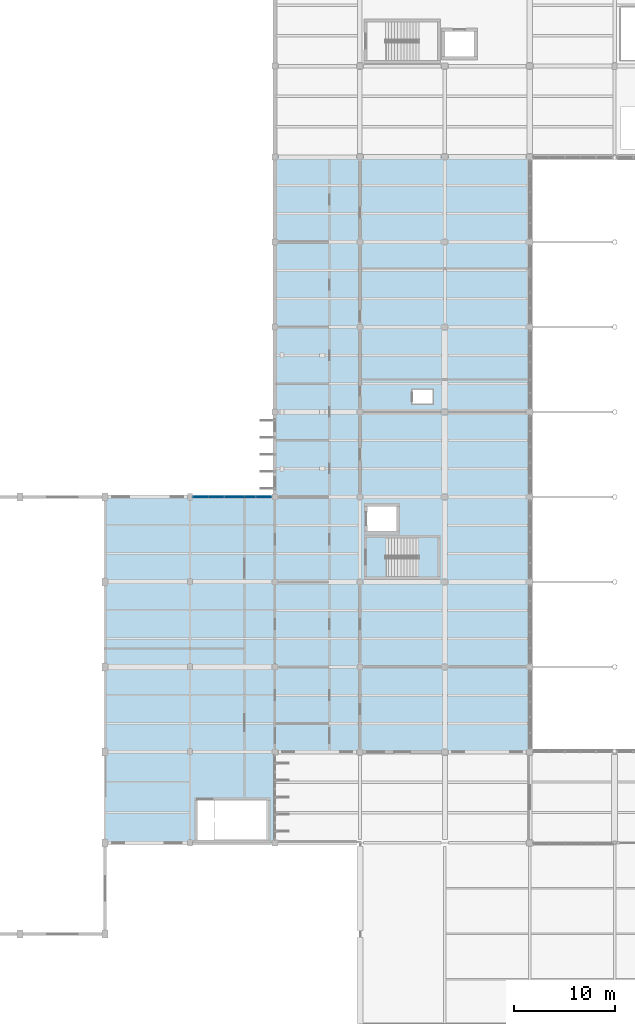
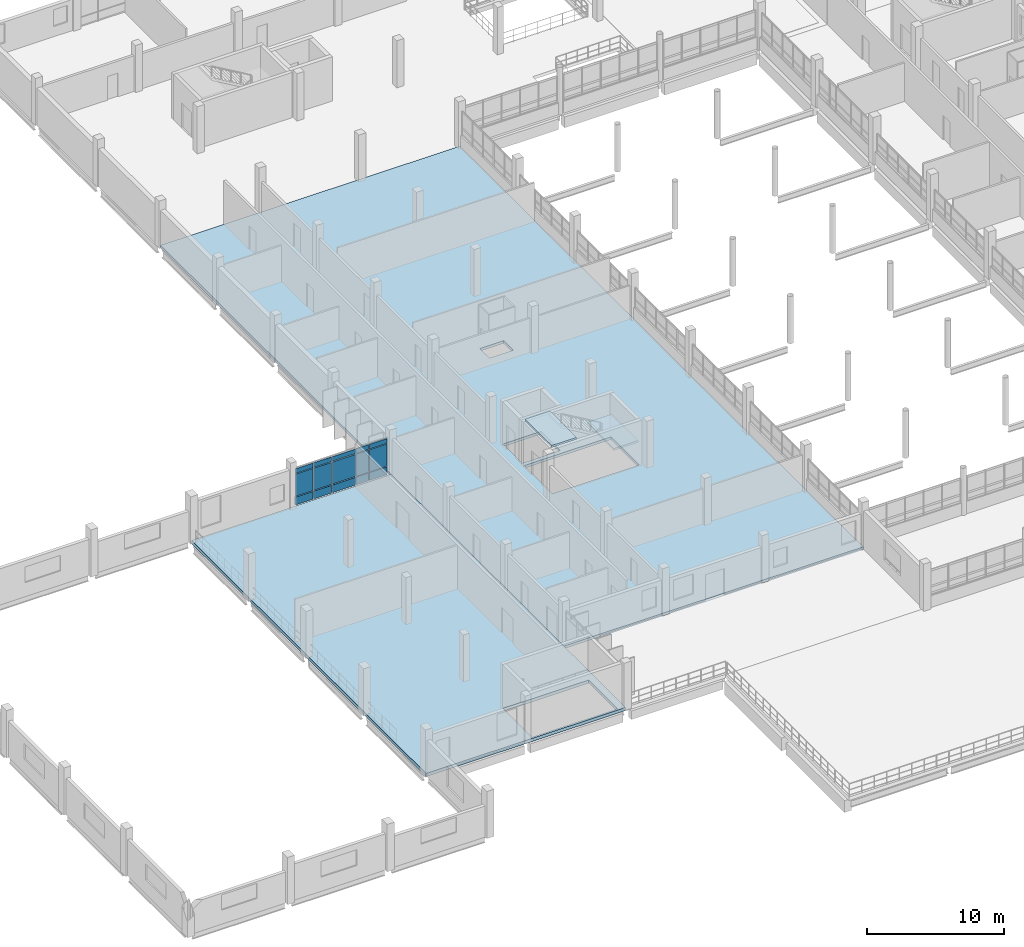
# One storey, part 72 of 101: 15 plates, 4 slabs, 4 openings, 2 elements without a shape of their own.
"""IFC4 building model written with IfcOpenShell, lengths in metres."""

from ifc_helpers import new_model, si_unit, direction, frame, origin, origin_2d, place, context, subcontext, project, spatial, polyline, rectangle, outline, extrude, material, layer, layer_set, type_object, element, aggregate, save


model = new_model("IFC4")

# Units and contexts
model_context = context("Model", 3, precision=1e-05, world=origin(), true_north=direction((0.0, 1.0)))
body_context = subcontext(model_context, "Body", "Model", "MODEL_VIEW")
ifc_project = project(units=[si_unit("LENGTHUNIT", "METRE"), si_unit("AREAUNIT", "SQUARE_METRE"), si_unit("VOLUMEUNIT", "CUBIC_METRE"), si_unit("PLANEANGLEUNIT", "RADIAN"), si_unit("MASSUNIT", "GRAM", prefix="KILO")], contexts=[model_context])

# Site, building, storey
site_placement = place(None, origin())
site = spatial("IfcSite", under=ifc_project, at=site_placement, CompositionType="ELEMENT")
building_placement = place(site_placement, origin())
building = spatial("IfcBuilding", under=site, at=building_placement, Name="Vireocrest Preparatory School", CompositionType="ELEMENT")
storey_placement = place(building_placement, frame((0.0, 0.0, 4.800048828125)))
storey = spatial("IfcBuildingStorey", under=building, at=storey_placement, Name="L01", CompositionType="ELEMENT", Elevation=4.800048828125)

# Curtain wall, plates
ifc_material_1 = material(Name="Thermally broken aluminium EN AW-6063-T6", Category="aluminium")
ifc_layer_1 = layer(ifc_material_1, 0.179931640625)
ifc_layer_set_1 = layer_set([ifc_layer_1], Name="Thermally broken aluminium EN AW-6063-T6")
curtain_wall_type = type_object("IfcCurtainWallType", Name="Library Reading Bay Glazing 7600x4200", PredefinedType="USERDEFINED", material=ifc_layer_set_1)
curtain_wall_placement = place(storey_placement, origin())
curtain_wall = element("IfcCurtainWall", 1, at=curtain_wall_placement, inside=storey, type_object=curtain_wall_type, Name="Curtain Wall CW16 CW_L01_CW16_0338_0522_048", ObjectType="CURTAIN WALL", PredefinedType="USERDEFINED")
ifc_material_2 = material(Name="Insulated triple low-e tempered safety glass", Category="glass")
ifc_layer_2 = layer(ifc_material_2, 0.074951171875)
ifc_layer_set_2 = layer_set([ifc_layer_2], Name="Insulated triple low-e tempered safety glass")
plate_type_1 = type_object("IfcPlateType", Name="Acoustic Triple-Glazed Lab Curtain Panel 75", PredefinedType="CURTAIN_PANEL", material=ifc_layer_set_2)
plate_1_placement = place(storey_placement, frame((34.6630859375, 52.199951171875, 0.88232421875), z_axis=(0.0, 0.0, 1.0), x_axis=(1.0, 0.0, 0.0)))
plate_1 = element("IfcPlate", 2, at=plate_1_placement, type_object=plate_type_1, Name="CW Panel GL2 CW_L01_CW16_0338_0522_048-1-2", PredefinedType="CURTAIN_PANEL", context=body_context, shape_type="SweptSolid", body=[
    extrude(rectangle(XDim=1.490966796875, YDim=0.074951171875, at=origin_2d()), origin(), (0.0, 0.0, 1.0), 1.965087890625),
])
plate_2_placement = place(storey_placement, frame((34.6630859375, 52.199951171875, 2.91259765625), z_axis=(0.0, 0.0, 1.0), x_axis=(1.0, 0.0, 0.0)))
plate_2 = element("IfcPlate", 3, at=plate_2_placement, type_object=plate_type_1, Name="CW Panel GL2 CW_L01_CW16_0338_0522_048-1-3", PredefinedType="CURTAIN_PANEL", context=body_context, shape_type="SweptSolid", body=[
    extrude(rectangle(XDim=1.490966796875, YDim=0.074951171875, at=origin_2d()), origin(), (0.0, 0.0, 1.0), 0.409912109375),
])
plate_3_placement = place(storey_placement, frame((36.218994140625, 52.199951171875, 0.88232421875), z_axis=(0.0, 0.0, 1.0), x_axis=(1.0, 0.0, 0.0)))
plate_3 = element("IfcPlate", 4, at=plate_3_placement, type_object=plate_type_1, Name="CW Panel GL2 CW_L01_CW16_0338_0522_048-2-2", PredefinedType="CURTAIN_PANEL", context=body_context, shape_type="SweptSolid", body=[
    extrude(rectangle(XDim=1.490966796875, YDim=0.074951171875, at=origin_2d()), origin(), (0.0, 0.0, 1.0), 1.965087890625),
])
plate_4_placement = place(storey_placement, frame((36.218994140625, 52.199951171875, 2.91259765625), z_axis=(0.0, 0.0, 1.0), x_axis=(1.0, 0.0, 0.0)))
plate_4 = element("IfcPlate", 5, at=plate_4_placement, type_object=plate_type_1, Name="CW Panel GL2 CW_L01_CW16_0338_0522_048-2-3", PredefinedType="CURTAIN_PANEL", context=body_context, shape_type="SweptSolid", body=[
    extrude(rectangle(XDim=1.490966796875, YDim=0.074951171875, at=origin_2d()), origin(), (0.0, 0.0, 1.0), 0.409912109375),
])
plate_5_placement = place(storey_placement, frame((37.99853515625, 52.199951171875, 0.88232421875), z_axis=(0.0, 0.0, 1.0), x_axis=(1.0, 0.0, 0.0)))
plate_5 = element("IfcPlate", 6, at=plate_5_placement, type_object=plate_type_1, Name="CW Panel GL2 CW_L01_CW16_0338_0522_048-3-2", PredefinedType="CURTAIN_PANEL", context=body_context, shape_type="SweptSolid", body=[
    extrude(rectangle(XDim=1.93798828125, YDim=0.074951171875, at=origin_2d()), origin(), (0.0, 0.0, 1.0), 1.965087890625),
])
plate_6_placement = place(storey_placement, frame((37.99853515625, 52.199951171875, 2.91259765625), z_axis=(0.0, 0.0, 1.0), x_axis=(1.0, 0.0, 0.0)))
plate_6 = element("IfcPlate", 7, at=plate_6_placement, type_object=plate_type_1, Name="CW Panel GL2 CW_L01_CW16_0338_0522_048-3-3", PredefinedType="CURTAIN_PANEL", context=body_context, shape_type="SweptSolid", body=[
    extrude(rectangle(XDim=1.93798828125, YDim=0.074951171875, at=origin_2d()), origin(), (0.0, 0.0, 1.0), 0.409912109375),
])
plate_7_placement = place(storey_placement, frame((39.554443359375, 52.199951171875, 0.88232421875), z_axis=(0.0, 0.0, 1.0), x_axis=(1.0, 0.0, 0.0)))
plate_7 = element("IfcPlate", 8, at=plate_7_placement, type_object=plate_type_1, Name="CW Panel GL2 CW_L01_CW16_0338_0522_048-4-2", PredefinedType="CURTAIN_PANEL", context=body_context, shape_type="SweptSolid", body=[
    extrude(rectangle(XDim=1.0439453125, YDim=0.074951171875, at=origin_2d()), origin(), (0.0, 0.0, 1.0), 1.965087890625),
])
plate_8_placement = place(storey_placement, frame((39.554443359375, 52.199951171875, 2.91259765625), z_axis=(0.0, 0.0, 1.0), x_axis=(1.0, 0.0, 0.0)))
plate_8 = element("IfcPlate", 9, at=plate_8_placement, type_object=plate_type_1, Name="CW Panel GL2 CW_L01_CW16_0338_0522_048-4-3", PredefinedType="CURTAIN_PANEL", context=body_context, shape_type="SweptSolid", body=[
    extrude(rectangle(XDim=1.0439453125, YDim=0.074951171875, at=origin_2d()), origin(), (0.0, 0.0, 1.0), 0.409912109375),
])
plate_9_placement = place(storey_placement, frame((40.886962890625, 52.199951171875, 0.88232421875), z_axis=(0.0, 0.0, 1.0), x_axis=(1.0, 0.0, 0.0)))
plate_9 = element("IfcPlate", 10, at=plate_9_placement, type_object=plate_type_1, Name="CW Panel GL2 CW_L01_CW16_0338_0522_048-5-2", PredefinedType="CURTAIN_PANEL", context=body_context, shape_type="SweptSolid", body=[
    extrude(rectangle(XDim=1.490966796875, YDim=0.074951171875, at=origin_2d()), origin(), (0.0, 0.0, 1.0), 1.965087890625),
])
plate_10_placement = place(storey_placement, frame((40.886962890625, 52.199951171875, 2.91259765625), z_axis=(0.0, 0.0, 1.0), x_axis=(1.0, 0.0, 0.0)))
plate_10 = element("IfcPlate", 11, at=plate_10_placement, type_object=plate_type_1, Name="CW Panel GL2 CW_L01_CW16_0338_0522_048-5-3", PredefinedType="CURTAIN_PANEL", context=body_context, shape_type="SweptSolid", body=[
    extrude(rectangle(XDim=1.490966796875, YDim=0.074951171875, at=origin_2d()), origin(), (0.0, 0.0, 1.0), 0.409912109375),
])

# Slab, openings
ifc_material_3 = material(Name="Concrete 40 MPa", Category="concrete")
ifc_layer_3 = layer(ifc_material_3, 0.239990234375)
ifc_layer_set_3 = layer_set([ifc_layer_3], Name="Concrete 40 MPa")
slab_type_1 = type_object("IfcSlabType", Name="Classroom Suspended RC Floor Slab 240", PredefinedType="FLOOR", material=ifc_layer_set_3)
slab_1_placement = place(storey_placement, frame((0.0, 0.0, -0.239990234375)))
slab_1 = element("IfcSlab", 12, at=slab_1_placement, inside=storey, type_object=slab_type_1, Name="Slab L01_WEST_BAR", PredefinedType="FLOOR", context=body_context, shape_type="SweptSolid", body=[
    extrude(outline(polyline([(42.0, 27.0), (67.199951171875, 27.0), (67.199951171875, 85.800048828125), (42.0, 85.800048828125), (42.0, 27.0)])), origin(), (0.0, 0.0, 1.0), 0.239990234375),
])
opening_1_placement = place(slab_1_placement, frame((0.0, 0.0, -0.010009765625)))
element("IfcOpeningElement", 13, at=opening_1_placement, cuts=slab_1, Name="Slab Opening SLAB_L01_WEST_BAR-1", PredefinedType="OPENING", context=body_context, shape_type="SweptSolid", body=[
    extrude(outline(polyline([(50.949951171875, 44.199951171875), (58.25, 44.199951171875), (58.25, 48.300048828125), (50.949951171875, 48.300048828125), (50.949951171875, 44.199951171875)])), origin(), (0.0, 0.0, 1.0), 0.260009765625),
])
opening_2_placement = place(slab_1_placement, frame((0.0, 0.0, -0.010009765625)))
element("IfcOpeningElement", 14, at=opening_2_placement, cuts=slab_1, Name="Slab Opening SLAB_L01_WEST_BAR-2", PredefinedType="OPENING", context=body_context, shape_type="SweptSolid", body=[
    extrude(outline(polyline([(51.0, 48.64990234375), (54.199951171875, 48.64990234375), (54.199951171875, 51.449951171875), (51.0, 51.449951171875), (51.0, 48.64990234375)])), origin(), (0.0, 0.0, 1.0), 0.260009765625),
])
opening_3_placement = place(slab_1_placement, frame((0.0, 0.0, -0.010009765625)))
element("IfcOpeningElement", 15, at=opening_3_placement, cuts=slab_1, Name="Slab Opening SLAB_L01_WEST_BAR-3", PredefinedType="OPENING", context=body_context, shape_type="SweptSolid", body=[
    extrude(outline(polyline([(55.60009765625, 61.39990234375), (57.60009765625, 61.39990234375), (57.60009765625, 62.800048828125), (55.60009765625, 62.800048828125), (55.60009765625, 61.39990234375)])), origin(), (0.0, 0.0, 1.0), 0.260009765625),
])

# Slab, opening
ifc_layer_4 = layer(ifc_material_3, 0.280029296875)
ifc_layer_set_4 = layer_set([ifc_layer_4], Name="Concrete 40 MPa")
slab_type_2 = type_object("IfcSlabType", Name="Commons and Corridor Suspended RC Slab 280", PredefinedType="FLOOR", material=ifc_layer_set_4)
slab_2_placement = place(storey_placement, frame((0.0, 0.0, -0.280029296875)))
slab_2 = element("IfcSlab", 16, at=slab_2_placement, inside=storey, type_object=slab_type_2, Name="Slab L01_WEST_LINK", PredefinedType="FLOOR", context=body_context, shape_type="SweptSolid", body=[
    extrude(outline(polyline([(25.199951171875, 18.0), (42.0, 18.0), (42.0, 52.199951171875), (25.199951171875, 52.199951171875), (25.199951171875, 18.0)])), origin(), (0.0, 0.0, 1.0), 0.280029296875),
])
opening_4_placement = place(slab_2_placement, frame((0.0, 0.0, -0.010009765625)))
element("IfcOpeningElement", 17, at=opening_4_placement, cuts=slab_2, Name="Slab Opening SLAB_L01_WEST_LINK-1", PredefinedType="OPENING", context=body_context, shape_type="SweptSolid", body=[
    extrude(outline(polyline([(34.199951171875, 18.14990234375), (41.39990234375, 18.14990234375), (41.39990234375, 22.35009765625), (34.199951171875, 22.35009765625), (34.199951171875, 18.14990234375)])), origin(), (0.0, 0.0, 1.0), 0.300048828125),
])

# Plate
ifc_material_4 = material(Name="Painted white aluminium cladding EN AW-6063-T6", Category="aluminium")
ifc_layer_5 = layer(ifc_material_4, 0.114990234375)
ifc_layer_set_5 = layer_set([ifc_layer_5], Name="Painted white aluminium cladding EN AW-6063-T6")
plate_type_2 = type_object("IfcPlateType", Name="Insulated White Spandrel Curtain Panel 115", PredefinedType="CURTAIN_PANEL", material=ifc_layer_set_5)
plate_11_placement = place(storey_placement, frame((34.6630859375, 52.199951171875, 0.12744140625), z_axis=(0.0, 0.0, 1.0), x_axis=(1.0, 0.0, 0.0)))
plate_11 = element("IfcPlate", 18, at=plate_11_placement, type_object=plate_type_2, Name="CW Panel SP2 CW_L01_CW16_0338_0522_048-1-1", PredefinedType="CURTAIN_PANEL", context=body_context, shape_type="SweptSolid", body=[
    extrude(rectangle(XDim=1.490966796875, YDim=0.114990234375, at=origin_2d()), origin(), (0.0, 0.0, 1.0), 0.68994140625),
])

plate_12_placement = place(storey_placement, frame((36.218994140625, 52.199951171875, 0.12744140625), z_axis=(0.0, 0.0, 1.0), x_axis=(1.0, 0.0, 0.0)))
plate_12 = element("IfcPlate", 19, at=plate_12_placement, type_object=plate_type_2, Name="CW Panel SP2 CW_L01_CW16_0338_0522_048-2-1", PredefinedType="CURTAIN_PANEL", context=body_context, shape_type="SweptSolid", body=[
    extrude(rectangle(XDim=1.490966796875, YDim=0.114990234375, at=origin_2d()), origin(), (0.0, 0.0, 1.0), 0.68994140625),
])

plate_13_placement = place(storey_placement, frame((37.99853515625, 52.199951171875, 0.12744140625), z_axis=(0.0, 0.0, 1.0), x_axis=(1.0, 0.0, 0.0)))
plate_13 = element("IfcPlate", 20, at=plate_13_placement, type_object=plate_type_2, Name="CW Panel SP2 CW_L01_CW16_0338_0522_048-3-1", PredefinedType="CURTAIN_PANEL", context=body_context, shape_type="SweptSolid", body=[
    extrude(rectangle(XDim=1.93798828125, YDim=0.114990234375, at=origin_2d()), origin(), (0.0, 0.0, 1.0), 0.68994140625),
])

plate_14_placement = place(storey_placement, frame((39.554443359375, 52.199951171875, 0.12744140625), z_axis=(0.0, 0.0, 1.0), x_axis=(1.0, 0.0, 0.0)))
plate_14 = element("IfcPlate", 21, at=plate_14_placement, type_object=plate_type_2, Name="CW Panel SP2 CW_L01_CW16_0338_0522_048-4-1", PredefinedType="CURTAIN_PANEL", context=body_context, shape_type="SweptSolid", body=[
    extrude(rectangle(XDim=1.0439453125, YDim=0.114990234375, at=origin_2d()), origin(), (0.0, 0.0, 1.0), 0.68994140625),
])

plate_15_placement = place(storey_placement, frame((40.886962890625, 52.199951171875, 0.12744140625), z_axis=(0.0, 0.0, 1.0), x_axis=(1.0, 0.0, 0.0)))
plate_15 = element("IfcPlate", 22, at=plate_15_placement, type_object=plate_type_2, Name="CW Panel SP2 CW_L01_CW16_0338_0522_048-5-1", PredefinedType="CURTAIN_PANEL", context=body_context, shape_type="SweptSolid", body=[
    extrude(rectangle(XDim=1.490966796875, YDim=0.114990234375, at=origin_2d()), origin(), (0.0, 0.0, 1.0), 0.68994140625),
])

aggregate(curtain_wall, [plate_11, plate_1, plate_2, plate_12, plate_3, plate_4, plate_13, plate_5, plate_6, plate_14, plate_7, plate_8, plate_15, plate_9, plate_10])

# Stair, slabs
stair_type = type_object("IfcStairType", Name="Feature Library Stair 4200 Rise 1800 Wide", PredefinedType="HALF_TURN_STAIR", material=ifc_material_3)
stair_placement = place(storey_placement, origin())
stair = element("IfcStair", 23, at=stair_placement, inside=storey, type_object=stair_type, Name="Two-Run Stair ST1-L01", PredefinedType="HALF_TURN_STAIR")
ifc_layer_6 = layer(ifc_material_3, 0.179931640625)
ifc_layer_set_6 = layer_set([ifc_layer_6], Name="Concrete 40 MPa")
slab_type_3 = type_object("IfcSlabType", Name="Precast Concrete Stair Landing Slab 180", PredefinedType="LANDING", material=ifc_layer_set_6)
slab_3_placement = place(storey_placement, frame((0.0, 0.0, 1.919921875)))
slab_3 = element("IfcSlab", 24, at=slab_3_placement, type_object=slab_type_3, Name="Stair Half-Landing ST1-L01", PredefinedType="LANDING", context=body_context, shape_type="SweptSolid", body=[
    extrude(outline(polyline([(56.18994140625, 44.31005859375), (58.2451171875, 44.31005859375), (58.2451171875, 48.18994140625), (56.18994140625, 48.18994140625), (56.18994140625, 44.31005859375)])), origin(), (0.0, 0.0, 1.0), 0.179931640625),
])
slab_4_placement = place(storey_placement, frame((0.0, 0.0, 4.02001953125)))
slab_4 = element("IfcSlab", 25, at=slab_4_placement, type_object=slab_type_3, Name="Stair Arrival Landing ST1-L01", PredefinedType="LANDING", context=body_context, shape_type="SweptSolid", body=[
    extrude(outline(polyline([(50.955078125, 44.31005859375), (53.06494140625, 44.31005859375), (53.06494140625, 48.18994140625), (50.955078125, 48.18994140625), (50.955078125, 44.31005859375)])), origin(), (0.0, 0.0, 1.0), 0.179931640625),
])
aggregate(stair, [slab_3, slab_4])

save(model, "model.ifc")
